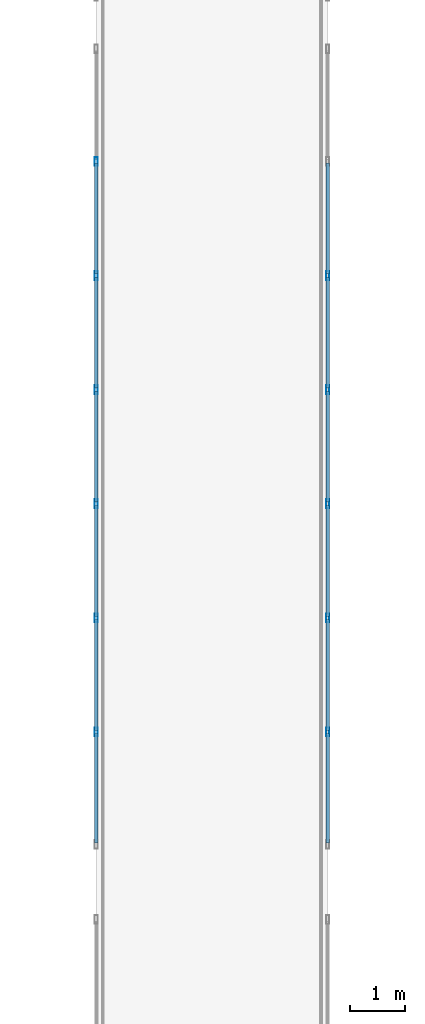
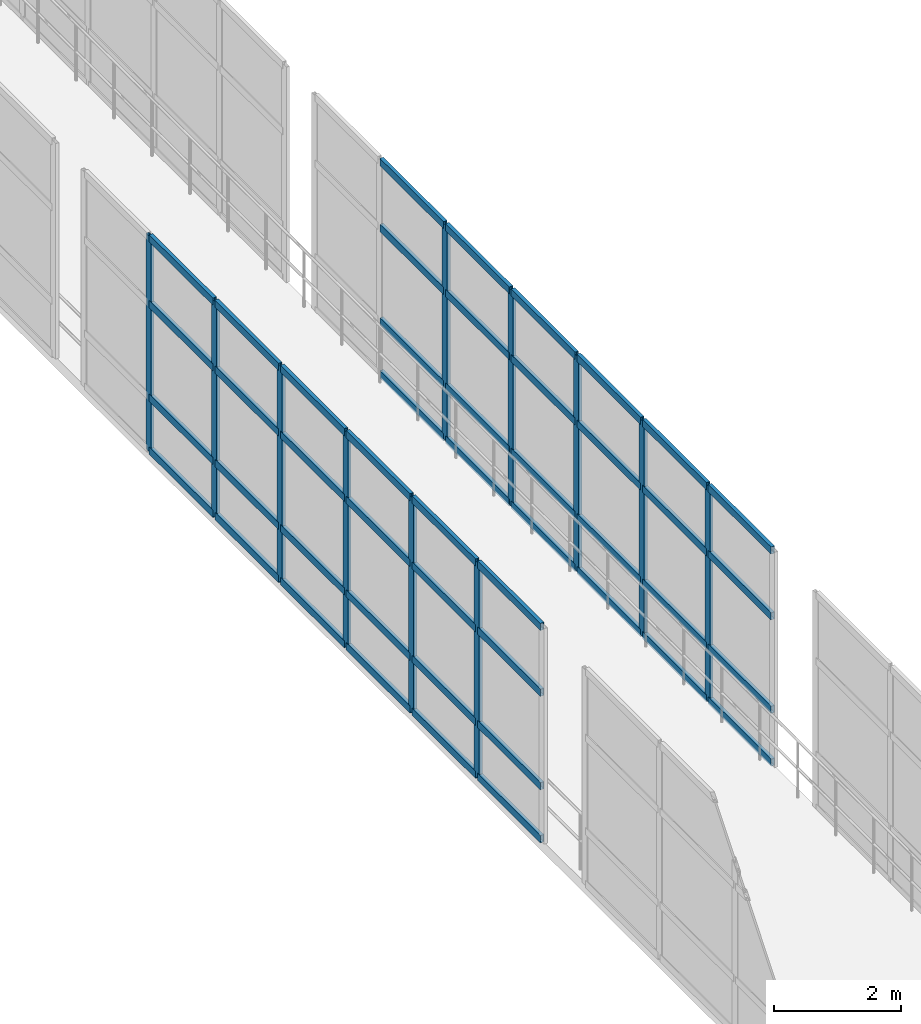
# One storey, part 64 of 105: 59 members, 2 elements without a shape of their own.
"""IFC4 building model written with IfcOpenShell, lengths in metres."""

from ifc_helpers import new_model, si_unit, direction, frame, origin, origin_2d, place, context, subcontext, project, spatial, hollow_rectangle, extrude, material, layer, layer_set, material_profile, profile_set, type_object, element, aggregate, save


model = new_model("IFC4")

# Units and contexts
model_context = context("Model", 3, precision=1e-05, world=origin(), true_north=direction((0.0, 1.0)))
body_context = subcontext(model_context, "Body", "Model", "MODEL_VIEW")
ifc_project = project(units=[si_unit("LENGTHUNIT", "METRE"), si_unit("AREAUNIT", "SQUARE_METRE"), si_unit("VOLUMEUNIT", "CUBIC_METRE"), si_unit("PLANEANGLEUNIT", "RADIAN"), si_unit("MASSUNIT", "GRAM", prefix="KILO")], contexts=[model_context])

# Site, building, storey
site_placement = place(None, origin())
site = spatial("IfcSite", under=ifc_project, at=site_placement, CompositionType="ELEMENT")
building_placement = place(site_placement, origin())
building = spatial("IfcBuilding", under=site, at=building_placement, Name="Selat Folded Stagehouse", CompositionType="ELEMENT")
storey_placement = place(building_placement, frame((0.0, 0.0, 10.199951171875)))
storey = spatial("IfcBuildingStorey", under=building, at=storey_placement, Name="L02", CompositionType="ELEMENT", Elevation=10.199951171875)

# Curtain wall, members
ifc_material = material(Name="Aluminium 6063-T6", Category="aluminium")
ifc_layer = layer(ifc_material, 0.175048828125)
ifc_layer_set = layer_set([ifc_layer], Name="Aluminium 6063-T6")
curtain_wall_type = type_object("IfcCurtainWallType", Name="CW-BRG-GLAZ", PredefinedType="NOTDEFINED", material=ifc_layer_set)
curtain_wall_1_placement = place(storey_placement, origin())
curtain_wall_1 = element("IfcCurtainWall", 1, at=curtain_wall_1_placement, inside=storey, type_object=curtain_wall_type, Name="L02 curtain wall CW-BRG-14", PredefinedType="NOTDEFINED")
ifc_material_profile_1 = material_profile(ifc_material, hollow_rectangle(XDim=0.06005859375, YDim=0.159912109375, WallThickness=0.00390625, at=origin_2d()), Name="ALU 160x60x4.0")
ifc_profile_set_1 = profile_set([ifc_material_profile_1], Name="Aluminium 6063-T6")
member_type_1 = type_object("IfcMemberType", Name="CWM-MUL-160x60", PredefinedType="MULLION", material=ifc_profile_set_1)
member_1_placement = place(storey_placement, frame((96.60009765625, 65.121337890625, 0.0), z_axis=(0.0, 0.0, 1.0), x_axis=(-1.0, 0.0, 0.0)))
member_1 = element("IfcMember", 2, at=member_1_placement, type_object=member_type_1, Name="CW-07 mullion 2", PredefinedType="MULLION", context=body_context, shape_type="SweptSolid", body=[
    extrude(hollow_rectangle(XDim=0.06005859375, YDim=0.159912109375, WallThickness=0.00390625, at=origin_2d()), origin(), (0.0, 0.0, 1.0), 4.150146484375),
])
member_2_placement = place(storey_placement, frame((96.60009765625, 67.19287109375, 0.0), z_axis=(0.0, 0.0, 1.0), x_axis=(-1.0, 0.0, 0.0)))
member_2 = element("IfcMember", 3, at=member_2_placement, type_object=member_type_1, Name="CW-07 mullion 3", PredefinedType="MULLION", context=body_context, shape_type="SweptSolid", body=[
    extrude(hollow_rectangle(XDim=0.06005859375, YDim=0.159912109375, WallThickness=0.00390625, at=origin_2d()), origin(), (0.0, 0.0, 1.0), 4.150146484375),
])
member_3_placement = place(storey_placement, frame((96.60009765625, 69.264404296875, 0.0), z_axis=(0.0, 0.0, 1.0), x_axis=(-1.0, 0.0, 0.0)))
member_3 = element("IfcMember", 4, at=member_3_placement, type_object=member_type_1, Name="CW-07 mullion 4", PredefinedType="MULLION", context=body_context, shape_type="SweptSolid", body=[
    extrude(hollow_rectangle(XDim=0.06005859375, YDim=0.159912109375, WallThickness=0.00390625, at=origin_2d()), origin(), (0.0, 0.0, 1.0), 4.150146484375),
])
member_4_placement = place(storey_placement, frame((96.60009765625, 71.335693359375, 0.0), z_axis=(0.0, 0.0, 1.0), x_axis=(-1.0, 0.0, 0.0)))
member_4 = element("IfcMember", 5, at=member_4_placement, type_object=member_type_1, Name="CW-07 mullion 5", PredefinedType="MULLION", context=body_context, shape_type="SweptSolid", body=[
    extrude(hollow_rectangle(XDim=0.06005859375, YDim=0.159912109375, WallThickness=0.00390625, at=origin_2d()), origin(), (0.0, 0.0, 1.0), 4.150146484375),
])
member_5_placement = place(storey_placement, frame((96.60009765625, 73.4072265625, 0.0), z_axis=(0.0, 0.0, 1.0), x_axis=(-1.0, 0.0, 0.0)))
member_5 = element("IfcMember", 6, at=member_5_placement, type_object=member_type_1, Name="CW-07 mullion 6", PredefinedType="MULLION", context=body_context, shape_type="SweptSolid", body=[
    extrude(hollow_rectangle(XDim=0.06005859375, YDim=0.159912109375, WallThickness=0.00390625, at=origin_2d()), origin(), (0.0, 0.0, 1.0), 4.150146484375),
])
member_6_placement = place(storey_placement, frame((96.60009765625, 75.478515625, 0.0), z_axis=(0.0, 0.0, 1.0), x_axis=(-1.0, 0.0, 0.0)))
member_6 = element("IfcMember", 7, at=member_6_placement, type_object=member_type_1, Name="CW-07 mullion 7", PredefinedType="MULLION", context=body_context, shape_type="SweptSolid", body=[
    extrude(hollow_rectangle(XDim=0.06005859375, YDim=0.159912109375, WallThickness=0.00390625, at=origin_2d()), origin(), (0.0, 0.0, 1.0), 4.150146484375),
])

curtain_wall_2_placement = place(storey_placement, origin())
curtain_wall_2 = element("IfcCurtainWall", 8, at=curtain_wall_2_placement, inside=storey, type_object=curtain_wall_type, Name="L02 curtain wall CW-BRG-19", PredefinedType="NOTDEFINED")
member_7_placement = place(storey_placement, frame((100.800048828125, 73.4072265625, 0.0), z_axis=(0.0, 0.0, 1.0), x_axis=(1.0, 0.0, 0.0)))
member_7 = element("IfcMember", 9, at=member_7_placement, type_object=member_type_1, Name="CW-07 mullion 3", PredefinedType="MULLION", context=body_context, shape_type="SweptSolid", body=[
    extrude(hollow_rectangle(XDim=0.06005859375, YDim=0.159912109375, WallThickness=0.00390625, at=origin_2d()), origin(), (0.0, 0.0, 1.0), 4.150146484375),
])
member_8_placement = place(storey_placement, frame((100.800048828125, 71.335693359375, 0.0), z_axis=(0.0, 0.0, 1.0), x_axis=(1.0, 0.0, 0.0)))
member_8 = element("IfcMember", 10, at=member_8_placement, type_object=member_type_1, Name="CW-07 mullion 4", PredefinedType="MULLION", context=body_context, shape_type="SweptSolid", body=[
    extrude(hollow_rectangle(XDim=0.06005859375, YDim=0.159912109375, WallThickness=0.00390625, at=origin_2d()), origin(), (0.0, 0.0, 1.0), 4.150146484375),
])
member_9_placement = place(storey_placement, frame((100.800048828125, 69.264404296875, 0.0), z_axis=(0.0, 0.0, 1.0), x_axis=(1.0, 0.0, 0.0)))
member_9 = element("IfcMember", 11, at=member_9_placement, type_object=member_type_1, Name="CW-07 mullion 5", PredefinedType="MULLION", context=body_context, shape_type="SweptSolid", body=[
    extrude(hollow_rectangle(XDim=0.06005859375, YDim=0.159912109375, WallThickness=0.00390625, at=origin_2d()), origin(), (0.0, 0.0, 1.0), 4.150146484375),
])
member_10_placement = place(storey_placement, frame((100.800048828125, 67.19287109375, 0.0), z_axis=(0.0, 0.0, 1.0), x_axis=(1.0, 0.0, 0.0)))
member_10 = element("IfcMember", 12, at=member_10_placement, type_object=member_type_1, Name="CW-07 mullion 6", PredefinedType="MULLION", context=body_context, shape_type="SweptSolid", body=[
    extrude(hollow_rectangle(XDim=0.06005859375, YDim=0.159912109375, WallThickness=0.00390625, at=origin_2d()), origin(), (0.0, 0.0, 1.0), 4.150146484375),
])
member_11_placement = place(storey_placement, frame((100.800048828125, 65.121337890625, 0.0), z_axis=(0.0, 0.0, 1.0), x_axis=(1.0, 0.0, 0.0)))
member_11 = element("IfcMember", 13, at=member_11_placement, type_object=member_type_1, Name="CW-07 mullion 7", PredefinedType="MULLION", context=body_context, shape_type="SweptSolid", body=[
    extrude(hollow_rectangle(XDim=0.06005859375, YDim=0.159912109375, WallThickness=0.00390625, at=origin_2d()), origin(), (0.0, 0.0, 1.0), 4.150146484375),
])

# Member
ifc_material_profile_2 = material_profile(ifc_material, hollow_rectangle(XDim=0.06494140625, YDim=0.139892578125, WallThickness=0.00390625, at=origin_2d()), Name="ALU 140x65x4.0")
ifc_profile_set_2 = profile_set([ifc_material_profile_2], Name="Aluminium 6063-T6")
member_type_2 = type_object("IfcMemberType", Name="CWM-TRN-140x65", PredefinedType="USERDEFINED", material=ifc_profile_set_2)
member_12_placement = place(storey_placement, frame((96.60009765625, 63.110107421875, 0.032470703125), z_axis=(0.0, 1.0, 0.0), x_axis=(-1.0, 0.0, 0.0)))
member_12 = element("IfcMember", 14, at=member_12_placement, type_object=member_type_2, Name="CW-07 transom 1.1", ObjectType="TRANSOM", PredefinedType="USERDEFINED", context=body_context, shape_type="SweptSolid", body=[
    extrude(hollow_rectangle(XDim=0.06494140625, YDim=0.139892578125, WallThickness=0.00390625, at=origin_2d()), origin(), (0.0, 0.0, 1.0), 1.981201171875),
])

member_13_placement = place(storey_placement, frame((96.60009765625, 63.110107421875, 1.050048828125), z_axis=(0.0, 1.0, 0.0), x_axis=(-1.0, 0.0, 0.0)))
member_13 = element("IfcMember", 15, at=member_13_placement, type_object=member_type_2, Name="CW-07 transom 1.2", ObjectType="TRANSOM", PredefinedType="USERDEFINED", context=body_context, shape_type="SweptSolid", body=[
    extrude(hollow_rectangle(XDim=0.06494140625, YDim=0.139892578125, WallThickness=0.00390625, at=origin_2d()), origin(), (0.0, 0.0, 1.0), 1.981201171875),
])

member_14_placement = place(storey_placement, frame((96.60009765625, 63.110107421875, 2.85009765625), z_axis=(0.0, 1.0, 0.0), x_axis=(-1.0, 0.0, 0.0)))
member_14 = element("IfcMember", 16, at=member_14_placement, type_object=member_type_2, Name="CW-07 transom 1.3", ObjectType="TRANSOM", PredefinedType="USERDEFINED", context=body_context, shape_type="SweptSolid", body=[
    extrude(hollow_rectangle(XDim=0.06494140625, YDim=0.139892578125, WallThickness=0.00390625, at=origin_2d()), origin(), (0.0, 0.0, 1.0), 1.981201171875),
])

member_15_placement = place(storey_placement, frame((96.60009765625, 63.110107421875, 4.117431640625), z_axis=(0.0, 1.0, 0.0), x_axis=(-1.0, 0.0, 0.0)))
member_15 = element("IfcMember", 17, at=member_15_placement, type_object=member_type_2, Name="CW-07 transom 1.4", ObjectType="TRANSOM", PredefinedType="USERDEFINED", context=body_context, shape_type="SweptSolid", body=[
    extrude(hollow_rectangle(XDim=0.06494140625, YDim=0.139892578125, WallThickness=0.00390625, at=origin_2d()), origin(), (0.0, 0.0, 1.0), 1.981201171875),
])

member_16_placement = place(storey_placement, frame((96.60009765625, 65.1513671875, 0.032470703125), z_axis=(0.0, 1.0, 0.0), x_axis=(-1.0, 0.0, 0.0)))
member_16 = element("IfcMember", 18, at=member_16_placement, type_object=member_type_2, Name="CW-07 transom 2.1", ObjectType="TRANSOM", PredefinedType="USERDEFINED", context=body_context, shape_type="SweptSolid", body=[
    extrude(hollow_rectangle(XDim=0.06494140625, YDim=0.139892578125, WallThickness=0.00390625, at=origin_2d()), origin(), (0.0, 0.0, 1.0), 2.011474609375),
])

member_17_placement = place(storey_placement, frame((96.60009765625, 65.1513671875, 1.050048828125), z_axis=(0.0, 1.0, 0.0), x_axis=(-1.0, 0.0, 0.0)))
member_17 = element("IfcMember", 19, at=member_17_placement, type_object=member_type_2, Name="CW-07 transom 2.2", ObjectType="TRANSOM", PredefinedType="USERDEFINED", context=body_context, shape_type="SweptSolid", body=[
    extrude(hollow_rectangle(XDim=0.06494140625, YDim=0.139892578125, WallThickness=0.00390625, at=origin_2d()), origin(), (0.0, 0.0, 1.0), 2.011474609375),
])

member_18_placement = place(storey_placement, frame((96.60009765625, 65.1513671875, 2.85009765625), z_axis=(0.0, 1.0, 0.0), x_axis=(-1.0, 0.0, 0.0)))
member_18 = element("IfcMember", 20, at=member_18_placement, type_object=member_type_2, Name="CW-07 transom 2.3", ObjectType="TRANSOM", PredefinedType="USERDEFINED", context=body_context, shape_type="SweptSolid", body=[
    extrude(hollow_rectangle(XDim=0.06494140625, YDim=0.139892578125, WallThickness=0.00390625, at=origin_2d()), origin(), (0.0, 0.0, 1.0), 2.011474609375),
])

member_19_placement = place(storey_placement, frame((96.60009765625, 65.1513671875, 4.117431640625), z_axis=(0.0, 1.0, 0.0), x_axis=(-1.0, 0.0, 0.0)))
member_19 = element("IfcMember", 21, at=member_19_placement, type_object=member_type_2, Name="CW-07 transom 2.4", ObjectType="TRANSOM", PredefinedType="USERDEFINED", context=body_context, shape_type="SweptSolid", body=[
    extrude(hollow_rectangle(XDim=0.06494140625, YDim=0.139892578125, WallThickness=0.00390625, at=origin_2d()), origin(), (0.0, 0.0, 1.0), 2.011474609375),
])

member_20_placement = place(storey_placement, frame((96.60009765625, 67.222900390625, 0.032470703125), z_axis=(0.0, 1.0, 0.0), x_axis=(-1.0, 0.0, 0.0)))
member_20 = element("IfcMember", 22, at=member_20_placement, type_object=member_type_2, Name="CW-07 transom 3.1", ObjectType="TRANSOM", PredefinedType="USERDEFINED", context=body_context, shape_type="SweptSolid", body=[
    extrude(hollow_rectangle(XDim=0.06494140625, YDim=0.139892578125, WallThickness=0.00390625, at=origin_2d()), origin(), (0.0, 0.0, 1.0), 2.011474609375),
])

member_21_placement = place(storey_placement, frame((96.60009765625, 67.222900390625, 1.050048828125), z_axis=(0.0, 1.0, 0.0), x_axis=(-1.0, 0.0, 0.0)))
member_21 = element("IfcMember", 23, at=member_21_placement, type_object=member_type_2, Name="CW-07 transom 3.2", ObjectType="TRANSOM", PredefinedType="USERDEFINED", context=body_context, shape_type="SweptSolid", body=[
    extrude(hollow_rectangle(XDim=0.06494140625, YDim=0.139892578125, WallThickness=0.00390625, at=origin_2d()), origin(), (0.0, 0.0, 1.0), 2.011474609375),
])

member_22_placement = place(storey_placement, frame((96.60009765625, 67.222900390625, 2.85009765625), z_axis=(0.0, 1.0, 0.0), x_axis=(-1.0, 0.0, 0.0)))
member_22 = element("IfcMember", 24, at=member_22_placement, type_object=member_type_2, Name="CW-07 transom 3.3", ObjectType="TRANSOM", PredefinedType="USERDEFINED", context=body_context, shape_type="SweptSolid", body=[
    extrude(hollow_rectangle(XDim=0.06494140625, YDim=0.139892578125, WallThickness=0.00390625, at=origin_2d()), origin(), (0.0, 0.0, 1.0), 2.011474609375),
])

member_23_placement = place(storey_placement, frame((96.60009765625, 67.222900390625, 4.117431640625), z_axis=(0.0, 1.0, 0.0), x_axis=(-1.0, 0.0, 0.0)))
member_23 = element("IfcMember", 25, at=member_23_placement, type_object=member_type_2, Name="CW-07 transom 3.4", ObjectType="TRANSOM", PredefinedType="USERDEFINED", context=body_context, shape_type="SweptSolid", body=[
    extrude(hollow_rectangle(XDim=0.06494140625, YDim=0.139892578125, WallThickness=0.00390625, at=origin_2d()), origin(), (0.0, 0.0, 1.0), 2.011474609375),
])

member_24_placement = place(storey_placement, frame((96.60009765625, 69.294189453125, 0.032470703125), z_axis=(0.0, 1.0, 0.0), x_axis=(-1.0, 0.0, 0.0)))
member_24 = element("IfcMember", 26, at=member_24_placement, type_object=member_type_2, Name="CW-07 transom 4.1", ObjectType="TRANSOM", PredefinedType="USERDEFINED", context=body_context, shape_type="SweptSolid", body=[
    extrude(hollow_rectangle(XDim=0.06494140625, YDim=0.139892578125, WallThickness=0.00390625, at=origin_2d()), origin(), (0.0, 0.0, 1.0), 2.011474609375),
])

member_25_placement = place(storey_placement, frame((96.60009765625, 69.294189453125, 1.050048828125), z_axis=(0.0, 1.0, 0.0), x_axis=(-1.0, 0.0, 0.0)))
member_25 = element("IfcMember", 27, at=member_25_placement, type_object=member_type_2, Name="CW-07 transom 4.2", ObjectType="TRANSOM", PredefinedType="USERDEFINED", context=body_context, shape_type="SweptSolid", body=[
    extrude(hollow_rectangle(XDim=0.06494140625, YDim=0.139892578125, WallThickness=0.00390625, at=origin_2d()), origin(), (0.0, 0.0, 1.0), 2.011474609375),
])

member_26_placement = place(storey_placement, frame((96.60009765625, 69.294189453125, 2.85009765625), z_axis=(0.0, 1.0, 0.0), x_axis=(-1.0, 0.0, 0.0)))
member_26 = element("IfcMember", 28, at=member_26_placement, type_object=member_type_2, Name="CW-07 transom 4.3", ObjectType="TRANSOM", PredefinedType="USERDEFINED", context=body_context, shape_type="SweptSolid", body=[
    extrude(hollow_rectangle(XDim=0.06494140625, YDim=0.139892578125, WallThickness=0.00390625, at=origin_2d()), origin(), (0.0, 0.0, 1.0), 2.011474609375),
])

member_27_placement = place(storey_placement, frame((96.60009765625, 69.294189453125, 4.117431640625), z_axis=(0.0, 1.0, 0.0), x_axis=(-1.0, 0.0, 0.0)))
member_27 = element("IfcMember", 29, at=member_27_placement, type_object=member_type_2, Name="CW-07 transom 4.4", ObjectType="TRANSOM", PredefinedType="USERDEFINED", context=body_context, shape_type="SweptSolid", body=[
    extrude(hollow_rectangle(XDim=0.06494140625, YDim=0.139892578125, WallThickness=0.00390625, at=origin_2d()), origin(), (0.0, 0.0, 1.0), 2.011474609375),
])

member_28_placement = place(storey_placement, frame((96.60009765625, 71.36572265625, 0.032470703125), z_axis=(0.0, 1.0, 0.0), x_axis=(-1.0, 0.0, 0.0)))
member_28 = element("IfcMember", 30, at=member_28_placement, type_object=member_type_2, Name="CW-07 transom 5.1", ObjectType="TRANSOM", PredefinedType="USERDEFINED", context=body_context, shape_type="SweptSolid", body=[
    extrude(hollow_rectangle(XDim=0.06494140625, YDim=0.139892578125, WallThickness=0.00390625, at=origin_2d()), origin(), (0.0, 0.0, 1.0), 2.011474609375),
])

member_29_placement = place(storey_placement, frame((96.60009765625, 71.36572265625, 1.050048828125), z_axis=(0.0, 1.0, 0.0), x_axis=(-1.0, 0.0, 0.0)))
member_29 = element("IfcMember", 31, at=member_29_placement, type_object=member_type_2, Name="CW-07 transom 5.2", ObjectType="TRANSOM", PredefinedType="USERDEFINED", context=body_context, shape_type="SweptSolid", body=[
    extrude(hollow_rectangle(XDim=0.06494140625, YDim=0.139892578125, WallThickness=0.00390625, at=origin_2d()), origin(), (0.0, 0.0, 1.0), 2.011474609375),
])

member_30_placement = place(storey_placement, frame((96.60009765625, 71.36572265625, 2.85009765625), z_axis=(0.0, 1.0, 0.0), x_axis=(-1.0, 0.0, 0.0)))
member_30 = element("IfcMember", 32, at=member_30_placement, type_object=member_type_2, Name="CW-07 transom 5.3", ObjectType="TRANSOM", PredefinedType="USERDEFINED", context=body_context, shape_type="SweptSolid", body=[
    extrude(hollow_rectangle(XDim=0.06494140625, YDim=0.139892578125, WallThickness=0.00390625, at=origin_2d()), origin(), (0.0, 0.0, 1.0), 2.011474609375),
])

member_31_placement = place(storey_placement, frame((96.60009765625, 71.36572265625, 4.117431640625), z_axis=(0.0, 1.0, 0.0), x_axis=(-1.0, 0.0, 0.0)))
member_31 = element("IfcMember", 33, at=member_31_placement, type_object=member_type_2, Name="CW-07 transom 5.4", ObjectType="TRANSOM", PredefinedType="USERDEFINED", context=body_context, shape_type="SweptSolid", body=[
    extrude(hollow_rectangle(XDim=0.06494140625, YDim=0.139892578125, WallThickness=0.00390625, at=origin_2d()), origin(), (0.0, 0.0, 1.0), 2.011474609375),
])

member_32_placement = place(storey_placement, frame((96.60009765625, 73.437255859375, 0.032470703125), z_axis=(0.0, 1.0, 0.0), x_axis=(-1.0, 0.0, 0.0)))
member_32 = element("IfcMember", 34, at=member_32_placement, type_object=member_type_2, Name="CW-07 transom 6.1", ObjectType="TRANSOM", PredefinedType="USERDEFINED", context=body_context, shape_type="SweptSolid", body=[
    extrude(hollow_rectangle(XDim=0.06494140625, YDim=0.139892578125, WallThickness=0.00390625, at=origin_2d()), origin(), (0.0, 0.0, 1.0), 2.01123046875),
])

member_33_placement = place(storey_placement, frame((96.60009765625, 73.437255859375, 1.050048828125), z_axis=(0.0, 1.0, 0.0), x_axis=(-1.0, 0.0, 0.0)))
member_33 = element("IfcMember", 35, at=member_33_placement, type_object=member_type_2, Name="CW-07 transom 6.2", ObjectType="TRANSOM", PredefinedType="USERDEFINED", context=body_context, shape_type="SweptSolid", body=[
    extrude(hollow_rectangle(XDim=0.06494140625, YDim=0.139892578125, WallThickness=0.00390625, at=origin_2d()), origin(), (0.0, 0.0, 1.0), 2.01123046875),
])

member_34_placement = place(storey_placement, frame((96.60009765625, 73.437255859375, 2.85009765625), z_axis=(0.0, 1.0, 0.0), x_axis=(-1.0, 0.0, 0.0)))
member_34 = element("IfcMember", 36, at=member_34_placement, type_object=member_type_2, Name="CW-07 transom 6.3", ObjectType="TRANSOM", PredefinedType="USERDEFINED", context=body_context, shape_type="SweptSolid", body=[
    extrude(hollow_rectangle(XDim=0.06494140625, YDim=0.139892578125, WallThickness=0.00390625, at=origin_2d()), origin(), (0.0, 0.0, 1.0), 2.01123046875),
])

member_35_placement = place(storey_placement, frame((96.60009765625, 73.437255859375, 4.117431640625), z_axis=(0.0, 1.0, 0.0), x_axis=(-1.0, 0.0, 0.0)))
member_35 = element("IfcMember", 37, at=member_35_placement, type_object=member_type_2, Name="CW-07 transom 6.4", ObjectType="TRANSOM", PredefinedType="USERDEFINED", context=body_context, shape_type="SweptSolid", body=[
    extrude(hollow_rectangle(XDim=0.06494140625, YDim=0.139892578125, WallThickness=0.00390625, at=origin_2d()), origin(), (0.0, 0.0, 1.0), 2.01123046875),
])

aggregate(curtain_wall_1, [member_1, member_2, member_3, member_4, member_5, member_6, member_12, member_13, member_14, member_15, member_16, member_17, member_18, member_19, member_20, member_21, member_22, member_23, member_24, member_25, member_26, member_27, member_28, member_29, member_30, member_31, member_32, member_33, member_34, member_35])

member_36_placement = place(storey_placement, frame((100.800048828125, 75.448486328125, 0.032470703125), z_axis=(0.0, -1.0, 0.0), x_axis=(1.0, 0.0, 0.0)))
member_36 = element("IfcMember", 38, at=member_36_placement, type_object=member_type_2, Name="CW-07 transom 2.1", ObjectType="TRANSOM", PredefinedType="USERDEFINED", context=body_context, shape_type="SweptSolid", body=[
    extrude(hollow_rectangle(XDim=0.06494140625, YDim=0.139892578125, WallThickness=0.00390625, at=origin_2d()), origin(), (0.0, 0.0, 1.0), 2.01123046875),
])

member_37_placement = place(storey_placement, frame((100.800048828125, 75.448486328125, 1.050048828125), z_axis=(0.0, -1.0, 0.0), x_axis=(1.0, 0.0, 0.0)))
member_37 = element("IfcMember", 39, at=member_37_placement, type_object=member_type_2, Name="CW-07 transom 2.2", ObjectType="TRANSOM", PredefinedType="USERDEFINED", context=body_context, shape_type="SweptSolid", body=[
    extrude(hollow_rectangle(XDim=0.06494140625, YDim=0.139892578125, WallThickness=0.00390625, at=origin_2d()), origin(), (0.0, 0.0, 1.0), 2.01123046875),
])

member_38_placement = place(storey_placement, frame((100.800048828125, 75.448486328125, 2.85009765625), z_axis=(0.0, -1.0, 0.0), x_axis=(1.0, 0.0, 0.0)))
member_38 = element("IfcMember", 40, at=member_38_placement, type_object=member_type_2, Name="CW-07 transom 2.3", ObjectType="TRANSOM", PredefinedType="USERDEFINED", context=body_context, shape_type="SweptSolid", body=[
    extrude(hollow_rectangle(XDim=0.06494140625, YDim=0.139892578125, WallThickness=0.00390625, at=origin_2d()), origin(), (0.0, 0.0, 1.0), 2.01123046875),
])

member_39_placement = place(storey_placement, frame((100.800048828125, 75.448486328125, 4.117431640625), z_axis=(0.0, -1.0, 0.0), x_axis=(1.0, 0.0, 0.0)))
member_39 = element("IfcMember", 41, at=member_39_placement, type_object=member_type_2, Name="CW-07 transom 2.4", ObjectType="TRANSOM", PredefinedType="USERDEFINED", context=body_context, shape_type="SweptSolid", body=[
    extrude(hollow_rectangle(XDim=0.06494140625, YDim=0.139892578125, WallThickness=0.00390625, at=origin_2d()), origin(), (0.0, 0.0, 1.0), 2.01123046875),
])

member_40_placement = place(storey_placement, frame((100.800048828125, 73.377197265625, 0.032470703125), z_axis=(0.0, -1.0, 0.0), x_axis=(1.0, 0.0, 0.0)))
member_40 = element("IfcMember", 42, at=member_40_placement, type_object=member_type_2, Name="CW-07 transom 3.1", ObjectType="TRANSOM", PredefinedType="USERDEFINED", context=body_context, shape_type="SweptSolid", body=[
    extrude(hollow_rectangle(XDim=0.06494140625, YDim=0.139892578125, WallThickness=0.00390625, at=origin_2d()), origin(), (0.0, 0.0, 1.0), 2.011474609375),
])

member_41_placement = place(storey_placement, frame((100.800048828125, 73.377197265625, 1.050048828125), z_axis=(0.0, -1.0, 0.0), x_axis=(1.0, 0.0, 0.0)))
member_41 = element("IfcMember", 43, at=member_41_placement, type_object=member_type_2, Name="CW-07 transom 3.2", ObjectType="TRANSOM", PredefinedType="USERDEFINED", context=body_context, shape_type="SweptSolid", body=[
    extrude(hollow_rectangle(XDim=0.06494140625, YDim=0.139892578125, WallThickness=0.00390625, at=origin_2d()), origin(), (0.0, 0.0, 1.0), 2.011474609375),
])

member_42_placement = place(storey_placement, frame((100.800048828125, 73.377197265625, 2.85009765625), z_axis=(0.0, -1.0, 0.0), x_axis=(1.0, 0.0, 0.0)))
member_42 = element("IfcMember", 44, at=member_42_placement, type_object=member_type_2, Name="CW-07 transom 3.3", ObjectType="TRANSOM", PredefinedType="USERDEFINED", context=body_context, shape_type="SweptSolid", body=[
    extrude(hollow_rectangle(XDim=0.06494140625, YDim=0.139892578125, WallThickness=0.00390625, at=origin_2d()), origin(), (0.0, 0.0, 1.0), 2.011474609375),
])

member_43_placement = place(storey_placement, frame((100.800048828125, 73.377197265625, 4.117431640625), z_axis=(0.0, -1.0, 0.0), x_axis=(1.0, 0.0, 0.0)))
member_43 = element("IfcMember", 45, at=member_43_placement, type_object=member_type_2, Name="CW-07 transom 3.4", ObjectType="TRANSOM", PredefinedType="USERDEFINED", context=body_context, shape_type="SweptSolid", body=[
    extrude(hollow_rectangle(XDim=0.06494140625, YDim=0.139892578125, WallThickness=0.00390625, at=origin_2d()), origin(), (0.0, 0.0, 1.0), 2.011474609375),
])

member_44_placement = place(storey_placement, frame((100.800048828125, 71.3056640625, 0.032470703125), z_axis=(0.0, -1.0, 0.0), x_axis=(1.0, 0.0, 0.0)))
member_44 = element("IfcMember", 46, at=member_44_placement, type_object=member_type_2, Name="CW-07 transom 4.1", ObjectType="TRANSOM", PredefinedType="USERDEFINED", context=body_context, shape_type="SweptSolid", body=[
    extrude(hollow_rectangle(XDim=0.06494140625, YDim=0.139892578125, WallThickness=0.00390625, at=origin_2d()), origin(), (0.0, 0.0, 1.0), 2.011474609375),
])

member_45_placement = place(storey_placement, frame((100.800048828125, 71.3056640625, 1.050048828125), z_axis=(0.0, -1.0, 0.0), x_axis=(1.0, 0.0, 0.0)))
member_45 = element("IfcMember", 47, at=member_45_placement, type_object=member_type_2, Name="CW-07 transom 4.2", ObjectType="TRANSOM", PredefinedType="USERDEFINED", context=body_context, shape_type="SweptSolid", body=[
    extrude(hollow_rectangle(XDim=0.06494140625, YDim=0.139892578125, WallThickness=0.00390625, at=origin_2d()), origin(), (0.0, 0.0, 1.0), 2.011474609375),
])

member_46_placement = place(storey_placement, frame((100.800048828125, 71.3056640625, 2.85009765625), z_axis=(0.0, -1.0, 0.0), x_axis=(1.0, 0.0, 0.0)))
member_46 = element("IfcMember", 48, at=member_46_placement, type_object=member_type_2, Name="CW-07 transom 4.3", ObjectType="TRANSOM", PredefinedType="USERDEFINED", context=body_context, shape_type="SweptSolid", body=[
    extrude(hollow_rectangle(XDim=0.06494140625, YDim=0.139892578125, WallThickness=0.00390625, at=origin_2d()), origin(), (0.0, 0.0, 1.0), 2.011474609375),
])

member_47_placement = place(storey_placement, frame((100.800048828125, 71.3056640625, 4.117431640625), z_axis=(0.0, -1.0, 0.0), x_axis=(1.0, 0.0, 0.0)))
member_47 = element("IfcMember", 49, at=member_47_placement, type_object=member_type_2, Name="CW-07 transom 4.4", ObjectType="TRANSOM", PredefinedType="USERDEFINED", context=body_context, shape_type="SweptSolid", body=[
    extrude(hollow_rectangle(XDim=0.06494140625, YDim=0.139892578125, WallThickness=0.00390625, at=origin_2d()), origin(), (0.0, 0.0, 1.0), 2.011474609375),
])

member_48_placement = place(storey_placement, frame((100.800048828125, 69.234375, 0.032470703125), z_axis=(0.0, -1.0, 0.0), x_axis=(1.0, 0.0, 0.0)))
member_48 = element("IfcMember", 50, at=member_48_placement, type_object=member_type_2, Name="CW-07 transom 5.1", ObjectType="TRANSOM", PredefinedType="USERDEFINED", context=body_context, shape_type="SweptSolid", body=[
    extrude(hollow_rectangle(XDim=0.06494140625, YDim=0.139892578125, WallThickness=0.00390625, at=origin_2d()), origin(), (0.0, 0.0, 1.0), 2.011474609375),
])

member_49_placement = place(storey_placement, frame((100.800048828125, 69.234375, 1.050048828125), z_axis=(0.0, -1.0, 0.0), x_axis=(1.0, 0.0, 0.0)))
member_49 = element("IfcMember", 51, at=member_49_placement, type_object=member_type_2, Name="CW-07 transom 5.2", ObjectType="TRANSOM", PredefinedType="USERDEFINED", context=body_context, shape_type="SweptSolid", body=[
    extrude(hollow_rectangle(XDim=0.06494140625, YDim=0.139892578125, WallThickness=0.00390625, at=origin_2d()), origin(), (0.0, 0.0, 1.0), 2.011474609375),
])

member_50_placement = place(storey_placement, frame((100.800048828125, 69.234375, 2.85009765625), z_axis=(0.0, -1.0, 0.0), x_axis=(1.0, 0.0, 0.0)))
member_50 = element("IfcMember", 52, at=member_50_placement, type_object=member_type_2, Name="CW-07 transom 5.3", ObjectType="TRANSOM", PredefinedType="USERDEFINED", context=body_context, shape_type="SweptSolid", body=[
    extrude(hollow_rectangle(XDim=0.06494140625, YDim=0.139892578125, WallThickness=0.00390625, at=origin_2d()), origin(), (0.0, 0.0, 1.0), 2.011474609375),
])

member_51_placement = place(storey_placement, frame((100.800048828125, 69.234375, 4.117431640625), z_axis=(0.0, -1.0, 0.0), x_axis=(1.0, 0.0, 0.0)))
member_51 = element("IfcMember", 53, at=member_51_placement, type_object=member_type_2, Name="CW-07 transom 5.4", ObjectType="TRANSOM", PredefinedType="USERDEFINED", context=body_context, shape_type="SweptSolid", body=[
    extrude(hollow_rectangle(XDim=0.06494140625, YDim=0.139892578125, WallThickness=0.00390625, at=origin_2d()), origin(), (0.0, 0.0, 1.0), 2.011474609375),
])

member_52_placement = place(storey_placement, frame((100.800048828125, 67.162841796875, 0.032470703125), z_axis=(0.0, -1.0, 0.0), x_axis=(1.0, 0.0, 0.0)))
member_52 = element("IfcMember", 54, at=member_52_placement, type_object=member_type_2, Name="CW-07 transom 6.1", ObjectType="TRANSOM", PredefinedType="USERDEFINED", context=body_context, shape_type="SweptSolid", body=[
    extrude(hollow_rectangle(XDim=0.06494140625, YDim=0.139892578125, WallThickness=0.00390625, at=origin_2d()), origin(), (0.0, 0.0, 1.0), 2.011474609375),
])

member_53_placement = place(storey_placement, frame((100.800048828125, 67.162841796875, 1.050048828125), z_axis=(0.0, -1.0, 0.0), x_axis=(1.0, 0.0, 0.0)))
member_53 = element("IfcMember", 55, at=member_53_placement, type_object=member_type_2, Name="CW-07 transom 6.2", ObjectType="TRANSOM", PredefinedType="USERDEFINED", context=body_context, shape_type="SweptSolid", body=[
    extrude(hollow_rectangle(XDim=0.06494140625, YDim=0.139892578125, WallThickness=0.00390625, at=origin_2d()), origin(), (0.0, 0.0, 1.0), 2.011474609375),
])

member_54_placement = place(storey_placement, frame((100.800048828125, 67.162841796875, 2.85009765625), z_axis=(0.0, -1.0, 0.0), x_axis=(1.0, 0.0, 0.0)))
member_54 = element("IfcMember", 56, at=member_54_placement, type_object=member_type_2, Name="CW-07 transom 6.3", ObjectType="TRANSOM", PredefinedType="USERDEFINED", context=body_context, shape_type="SweptSolid", body=[
    extrude(hollow_rectangle(XDim=0.06494140625, YDim=0.139892578125, WallThickness=0.00390625, at=origin_2d()), origin(), (0.0, 0.0, 1.0), 2.011474609375),
])

member_55_placement = place(storey_placement, frame((100.800048828125, 67.162841796875, 4.117431640625), z_axis=(0.0, -1.0, 0.0), x_axis=(1.0, 0.0, 0.0)))
member_55 = element("IfcMember", 57, at=member_55_placement, type_object=member_type_2, Name="CW-07 transom 6.4", ObjectType="TRANSOM", PredefinedType="USERDEFINED", context=body_context, shape_type="SweptSolid", body=[
    extrude(hollow_rectangle(XDim=0.06494140625, YDim=0.139892578125, WallThickness=0.00390625, at=origin_2d()), origin(), (0.0, 0.0, 1.0), 2.011474609375),
])

member_56_placement = place(storey_placement, frame((100.800048828125, 65.09130859375, 0.032470703125), z_axis=(0.0, -1.0, 0.0), x_axis=(1.0, 0.0, 0.0)))
member_56 = element("IfcMember", 58, at=member_56_placement, type_object=member_type_2, Name="CW-07 transom 7.1", ObjectType="TRANSOM", PredefinedType="USERDEFINED", context=body_context, shape_type="SweptSolid", body=[
    extrude(hollow_rectangle(XDim=0.06494140625, YDim=0.139892578125, WallThickness=0.00390625, at=origin_2d()), origin(), (0.0, 0.0, 1.0), 1.981201171875),
])

member_57_placement = place(storey_placement, frame((100.800048828125, 65.09130859375, 1.050048828125), z_axis=(0.0, -1.0, 0.0), x_axis=(1.0, 0.0, 0.0)))
member_57 = element("IfcMember", 59, at=member_57_placement, type_object=member_type_2, Name="CW-07 transom 7.2", ObjectType="TRANSOM", PredefinedType="USERDEFINED", context=body_context, shape_type="SweptSolid", body=[
    extrude(hollow_rectangle(XDim=0.06494140625, YDim=0.139892578125, WallThickness=0.00390625, at=origin_2d()), origin(), (0.0, 0.0, 1.0), 1.981201171875),
])

member_58_placement = place(storey_placement, frame((100.800048828125, 65.09130859375, 2.85009765625), z_axis=(0.0, -1.0, 0.0), x_axis=(1.0, 0.0, 0.0)))
member_58 = element("IfcMember", 60, at=member_58_placement, type_object=member_type_2, Name="CW-07 transom 7.3", ObjectType="TRANSOM", PredefinedType="USERDEFINED", context=body_context, shape_type="SweptSolid", body=[
    extrude(hollow_rectangle(XDim=0.06494140625, YDim=0.139892578125, WallThickness=0.00390625, at=origin_2d()), origin(), (0.0, 0.0, 1.0), 1.981201171875),
])

member_59_placement = place(storey_placement, frame((100.800048828125, 65.09130859375, 4.117431640625), z_axis=(0.0, -1.0, 0.0), x_axis=(1.0, 0.0, 0.0)))
member_59 = element("IfcMember", 61, at=member_59_placement, type_object=member_type_2, Name="CW-07 transom 7.4", ObjectType="TRANSOM", PredefinedType="USERDEFINED", context=body_context, shape_type="SweptSolid", body=[
    extrude(hollow_rectangle(XDim=0.06494140625, YDim=0.139892578125, WallThickness=0.00390625, at=origin_2d()), origin(), (0.0, 0.0, 1.0), 1.981201171875),
])

aggregate(curtain_wall_2, [member_7, member_8, member_9, member_10, member_11, member_36, member_37, member_38, member_39, member_40, member_41, member_42, member_43, member_44, member_45, member_46, member_47, member_48, member_49, member_50, member_51, member_52, member_53, member_54, member_55, member_56, member_57, member_58, member_59])

save(model, "model.ifc")
